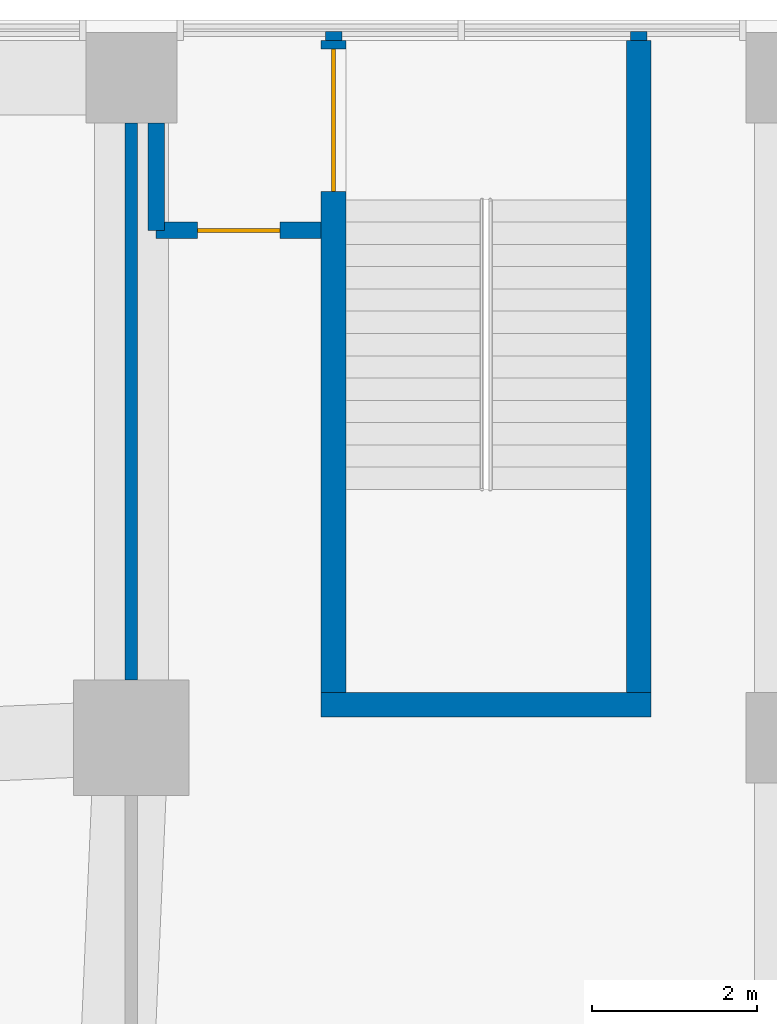
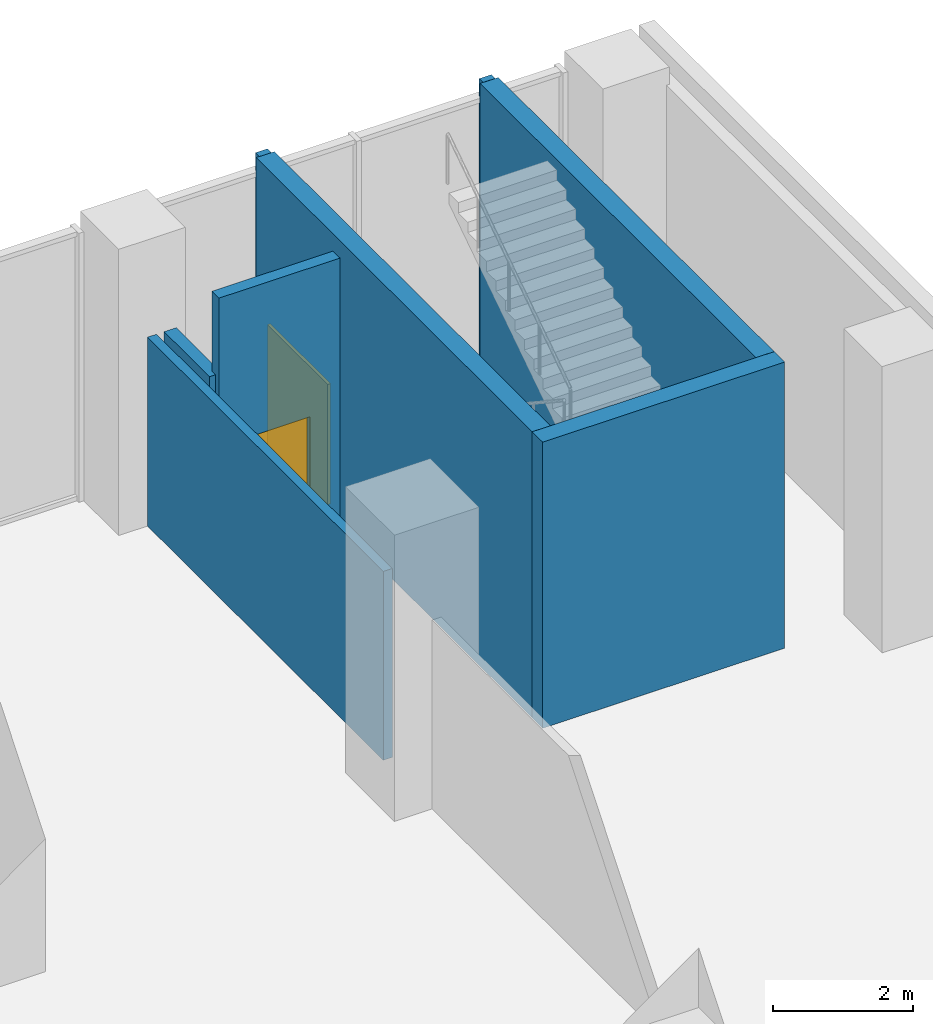
# One storey, part 19 of 22: 8 walls, 2 doors, 2 openings.
"""IFC4 building model written with IfcOpenShell, lengths in metres."""

import ifcopenshell
import ifcopenshell.guid

model = None  # the IFC model being written
_history = None  # IfcOwnerHistory: only IFC2X3 demands one
_inside = {}  # id of a spatial element -> (the spatial element, [elements in it])
_under = {}  # id of a project, library or spatial element -> (it, [spatial elements below it])
_declared = {}  # id of a project -> (the project, [libraries it declares])
_typed = {}  # id of a type object -> (the type object, [elements of that type])
_made_of = {}  # id of a material, layer set ... -> (it, [elements and type objects made of it])


def new_model(schema):
    """Start an empty IFC model of exactly this schema.

    Asked for "IFC4X3", IfcOpenShell would pick the latest addendum, in which some entities
    have other attributes; the version numbers below select the first issue.
    IFC2X3 requires an IfcOwnerHistory on every rooted entity: one is made here for all.
    """
    global model, _history
    if schema == "IFC4X3":
        model = ifcopenshell.file(schema_version=(4, 3, 0, 0))
    else:
        model = ifcopenshell.file(schema=schema)
    _inside.clear()
    _under.clear()
    _declared.clear()
    _typed.clear()
    _made_of.clear()
    _history = None
    if model.schema == "IFC2X3":
        org = make("IfcOrganization", Name="unknown")
        user = make(
            "IfcPersonAndOrganization",
            ThePerson=make("IfcPerson", FamilyName="unknown"),
            TheOrganization=org,
        )
        app = make(
            "IfcApplication",
            ApplicationDeveloper=org,
            Version="unknown",
            ApplicationFullName="unknown",
            ApplicationIdentifier="unknown",
        )
        _history = make(
            "IfcOwnerHistory",
            OwningUser=user,
            OwningApplication=app,
            ChangeAction="ADDED",
            CreationDate=0,
        )
    return model


def make(cls, **values):
    """One entity of the class cls with the attributes given. An attribute that is None is left unset."""
    return model.create_entity(
        cls, **{name: value for name, value in values.items() if value is not None}
    )


def rooted(cls, **values):
    """An entity with a GlobalId (a new one), such as an element, a storey or a relation."""
    return make(cls, GlobalId=ifcopenshell.guid.new(), OwnerHistory=_history, **values)


def si_unit(unit_type, name, prefix=None):
    """IfcSIUnit, for example si_unit("LENGTHUNIT", "METRE", prefix="MILLI")."""
    return make("IfcSIUnit", UnitType=unit_type, Prefix=prefix, Name=name)


def assignment(units):
    """IfcUnitAssignment: the units of a project."""
    return None if units is None else make("IfcUnitAssignment", Units=units)


def point(xyz):
    """IfcCartesianPoint."""
    return None if xyz is None else make("IfcCartesianPoint", Coordinates=xyz)


def direction(xyz):
    """IfcDirection."""
    return None if xyz is None else make("IfcDirection", DirectionRatios=xyz)


def frame(location, z_axis=None, x_axis=None):
    """IfcAxis2Placement3D, a coordinate frame: its origin and axes. An axis left out is left unset."""
    return make(
        "IfcAxis2Placement3D",
        Location=point(location),
        Axis=direction(z_axis),
        RefDirection=direction(x_axis),
    )


def frame_2d(location, x_axis=None):
    """IfcAxis2Placement2D, a coordinate frame in the plane: its origin and x axis."""
    return make(
        "IfcAxis2Placement2D", Location=point(location), RefDirection=direction(x_axis)
    )


def origin():
    """The frame at (0, 0, 0) with its axes left unset."""
    return frame((0.0, 0.0, 0.0))


def place(relative_to, where):
    """IfcLocalPlacement: puts the frame where relative to a parent placement (None: the world)."""
    return make(
        "IfcLocalPlacement", PlacementRelTo=relative_to, RelativePlacement=where
    )


def context(
    kind, dimensions, precision=None, world=None, true_north=None, identifier=None
):
    """IfcGeometricRepresentationContext, for example the 3D "Model" context."""
    return make(
        "IfcGeometricRepresentationContext",
        ContextIdentifier=identifier,
        ContextType=kind,
        CoordinateSpaceDimension=dimensions,
        Precision=precision,
        WorldCoordinateSystem=world,
        TrueNorth=true_north,
    )


def subcontext(parent, identifier, kind, view, scale=None):
    """IfcGeometricRepresentationSubContext, for example "Body" below "Model"."""
    return make(
        "IfcGeometricRepresentationSubContext",
        ContextIdentifier=identifier,
        ContextType=kind,
        ParentContext=parent,
        TargetScale=scale,
        TargetView=view,
    )


def project(units=None, contexts=None):
    """IfcProject with its units and contexts."""
    return rooted(
        "IfcProject",
        Name="project",
        RepresentationContexts=contexts,
        UnitsInContext=assignment(units),
    )


def spatial(cls, under=None, at=None, **own):
    """A site, building, storey or space (cls), placed at a placement, below another one or the project."""
    s = rooted(cls, ObjectPlacement=at, **own)
    if under is not None:
        _under.setdefault(under.id(), (under, []))[1].append(s)
    return s


def profile(cls, at=None, kind="AREA", **sizes):
    """A parametric profile (cls). Its sizes go by their IFC names, for example OverallWidth=200.0."""
    return make(cls, ProfileType=kind, Position=at, **sizes)


def rectangle(**sizes):
    """IfcRectangleProfileDef."""
    return profile("IfcRectangleProfileDef", **sizes)


def extrude(swept, where, along, depth):
    """IfcExtrudedAreaSolid: the profile swept, set in the frame where, extruded along a direction by depth."""
    return make(
        "IfcExtrudedAreaSolid",
        SweptArea=swept,
        Position=where,
        ExtrudedDirection=direction(along),
        Depth=depth,
    )


def shape(context_of_items, identifier, shape_type, items):
    """IfcShapeRepresentation: the items that make up one representation, for example the "Body"."""
    return make(
        "IfcShapeRepresentation",
        ContextOfItems=context_of_items,
        RepresentationIdentifier=identifier,
        RepresentationType=shape_type,
        Items=items,
    )


def material(Name=None, Category=None):
    """IfcMaterial."""
    return make("IfcMaterial", Name=Name, Category=Category)


def layer(
    of_material, thickness, ventilated=None, Name=None, Category=None, Priority=None
):
    """IfcMaterialLayer: one layer of a wall or slab, of a material (None: an air gap)."""
    return make(
        "IfcMaterialLayer",
        Material=of_material,
        LayerThickness=thickness,
        IsVentilated=ventilated,
        Name=Name,
        Category=Category,
        Priority=Priority,
    )


def layer_set(layers, Name=None):
    """IfcMaterialLayerSet."""
    return make("IfcMaterialLayerSet", MaterialLayers=layers, LayerSetName=Name)


def made_of(thing, what):
    """Note that an element or type object is made of a material, layer set ...; save() writes the relation."""
    if what is not None:
        _made_of.setdefault(what.id(), (what, []))[1].append(thing)
    return thing


def type_object(cls, material=None, **own):
    """A type object (cls), such as IfcWallType, which elements share."""
    return made_of(rooted(cls, **own), material)


def element(
    cls,
    number,
    at=None,
    inside=None,
    cuts=None,
    type_object=None,
    material=None,
    context=None,
    identifier="Body",
    shape_type=None,
    held_by="IfcProductDefinitionShape",
    body=None,
    shapes=None,
    **own,
):
    """One element of the class cls, such as IfcWall. Its Tag is "e" and its number.

    at: its placement. inside: the storey or other place that contains it. cuts: it is an
    opening in that element (IfcRelVoidsElement). A single representation is given by context,
    identifier, shape_type and body (its items); several are given by shapes. held_by: the class
    of the entity that holds the representations. save() writes the other relations.
    """
    e = rooted(cls, Tag="e%d" % number, ObjectPlacement=at, **own)
    if body is not None:
        shapes = [shape(context, identifier, shape_type, body)]
    if shapes is not None:
        e.Representation = make(held_by, Representations=shapes)
    if inside is not None:
        _inside.setdefault(inside.id(), (inside, []))[1].append(e)
    if cuts is not None:
        rooted(
            "IfcRelVoidsElement", RelatingBuildingElement=cuts, RelatedOpeningElement=e
        )
    if type_object is not None:
        _typed.setdefault(type_object.id(), (type_object, []))[1].append(e)
    return made_of(e, material)


def fill(opening, filler):
    """IfcRelFillsElement: the door or window that sits in an opening."""
    return rooted(
        "IfcRelFillsElement",
        RelatingOpeningElement=opening,
        RelatedBuildingElement=filler,
    )


def aggregate(whole, parts):
    """IfcRelAggregates: a whole, such as a stair, and the parts it consists of."""
    return rooted("IfcRelAggregates", RelatingObject=whole, RelatedObjects=parts)


def save(model, path):
    """Write the relations noted so far, then the file.

    IfcRelAggregates (storeys below a building ...), IfcRelContainedInSpatialStructure (elements
    in a storey), IfcRelDefinesByType, IfcRelAssociatesMaterial and IfcRelDeclares: one each for
    every whole, place, type object, material and project.
    """
    for whole, parts in _under.values():
        aggregate(whole, parts)
    for where, things in _inside.values():
        rooted(
            "IfcRelContainedInSpatialStructure",
            RelatedElements=things,
            RelatingStructure=where,
        )
    for kind, things in _typed.values():
        rooted("IfcRelDefinesByType", RelatedObjects=things, RelatingType=kind)
    for what, things in _made_of.values():
        rooted("IfcRelAssociatesMaterial", RelatedObjects=things, RelatingMaterial=what)
    for by, libraries in _declared.values():
        rooted("IfcRelDeclares", RelatingContext=by, RelatedDefinitions=libraries)
    model.write(path)


model = new_model("IFC4")

# Units and contexts
model_context = context("Model", 3, precision=1e-05, world=origin(), true_north=direction((0.0, 1.0)))
body_context = subcontext(model_context, "Body", "Model", "MODEL_VIEW")
ifc_project = project(units=[si_unit("LENGTHUNIT", "METRE"), si_unit("AREAUNIT", "SQUARE_METRE"), si_unit("VOLUMEUNIT", "CUBIC_METRE"), si_unit("PLANEANGLEUNIT", "RADIAN"), si_unit("MASSUNIT", "GRAM", prefix="KILO")], contexts=[model_context])

# Site, building, storey
site_placement = place(None, origin())
site = spatial("IfcSite", under=ifc_project, at=site_placement, CompositionType="ELEMENT")
building_placement = place(site_placement, origin())
building = spatial("IfcBuilding", under=site, at=building_placement, Name="Cleftline Residences", CompositionType="ELEMENT")
storey_placement = place(building_placement, frame((0.0, 0.0, 6.0)))
storey = spatial("IfcBuildingStorey", under=building, at=storey_placement, Name="L01", CompositionType="ELEMENT", Elevation=6.0)

# Wall, opening, door
ifc_material_1 = material(Name="Concrete blockwork, fire rated", Category="masonry")
ifc_layer_1 = layer(ifc_material_1, 0.199951171875)
ifc_layer_set_1 = layer_set([ifc_layer_1], Name="FIRE WALL 200")
wall_type_1 = type_object("IfcWallType", Name="FIRE WALL 200", PredefinedType="PARTITIONING", material=ifc_layer_set_1)
wall_1_placement = place(storey_placement, frame((66.300048828125, 54.14990234375, 0.0), z_axis=(0.0, 0.0, 1.0), x_axis=(1.0, 0.0, 0.0)))
wall_1 = element("IfcWall", 1, at=wall_1_placement, inside=storey, type_object=wall_type_1, Name="Fire separating wall", PredefinedType="PARTITIONING", context=body_context, shape_type="SweptSolid", body=[
    extrude(rectangle(XDim=2.0, YDim=0.199951171875, at=frame_2d((1.0, 0.0))), origin(), (0.0, 0.0, 1.0), 4.699951171875),
])
opening_1_placement = place(wall_1_placement, frame((0.5, 0.0, 0.0)))
opening_1 = element("IfcOpeningElement", 2, at=opening_1_placement, cuts=wall_1, Name="Opening D2F60", PredefinedType="OPENING", context=body_context, shape_type="SweptSolid", body=[
    extrude(rectangle(XDim=1.0, YDim=2.10009765625, at=frame_2d((0.5, 1.050048828125))), frame((0.0, 0.10986328125, 0.0), z_axis=(0.0, -1.0, 0.0), x_axis=(1.0, 0.0, 0.0)), (0.0, 0.0, 1.0), 0.219970703125),
])
ifc_material_2 = material(Name="Timber veneer on solid core", Category="wood")
door_type_1 = type_object("IfcDoorType", Name="DOOR 1000X2100 EI 60", OperationType="SINGLE_SWING_LEFT", PredefinedType="DOOR", material=ifc_material_2)
door_1_placement = place(opening_1_placement, origin())
door_1 = element("IfcDoor", 3, at=door_1_placement, inside=storey, type_object=door_type_1, Name="Door to stair ps-e lobby", OperationType="SINGLE_SWING_LEFT", OverallHeight=2.10009765625, OverallWidth=1.0, PredefinedType="DOOR", context=body_context, shape_type="SweptSolid", body=[
    extrude(rectangle(XDim=1.0, YDim=2.10009765625, at=frame_2d((0.5, 1.050048828125))), frame((0.0, 0.02490234375, 0.0), z_axis=(0.0, -1.0, 0.0), x_axis=(1.0, 0.0, 0.0)), (0.0, 0.0, 1.0), 0.050048828125),
])
fill(opening_1, door_1)

# Walls
wall_2_placement = place(storey_placement, frame((66.300048828125, 54.14990234375, 0.0), z_axis=(0.0, 0.0, 1.0), x_axis=(0.0, 1.0, 0.0)))
element("IfcWall", 4, at=wall_2_placement, inside=storey, type_object=wall_type_1, Name="Fire separating wall", PredefinedType="PARTITIONING", context=body_context, shape_type="SweptSolid", body=[
    extrude(rectangle(XDim=1.300048828125, YDim=0.199951171875, at=frame_2d((0.64990234375, 0.0))), origin(), (0.0, 0.0, 1.0), 3.300048828125),
])
for number, where, z_axis, x_axis, name in (
    (5, (68.449951171875, 56.449951171875, 0.0), (0.0, 0.0, 1.0), (0.0, 1.0, 0.0), "Fire separating wall"),
    (6, (72.14990234375, 56.449951171875, 0.0), (0.0, 0.0, 1.0), (0.0, 1.0, 0.0), "Fire separating wall"),
):
    element("IfcWall", number, at=place(storey_placement, frame(where, z_axis=z_axis, x_axis=x_axis)), inside=storey, type_object=wall_type_1, Name=name, PredefinedType="PARTITIONING", context=body_context, shape_type="SweptSolid", body=[
        extrude(rectangle(XDim=0.111083984375, YDim=0.199951171875, at=frame_2d((0.0556640625, 0.0))), origin(), (0.0, 0.0, 1.0), 5.0),
    ])
ifc_material_3 = material(Name="Gypsum board on steel studs", Category="steel")
ifc_layer_2 = layer(ifc_material_3, 0.14990234375)
ifc_layer_set_2 = layer_set([ifc_layer_2], Name="PARTITION 150")
wall_type_2 = type_object("IfcWallType", Name="PARTITION 150", PredefinedType="PARTITIONING", material=ifc_layer_set_2)
wall_3_placement = place(storey_placement, frame((66.0, 48.699951171875, 0.0), z_axis=(0.0, 0.0, 1.0), x_axis=(0.0, 1.0, 0.0)))
element("IfcWall", 7, at=wall_3_placement, inside=storey, type_object=wall_type_2, Name="Partition", PredefinedType="PARTITIONING", context=body_context, shape_type="SweptSolid", body=[
    extrude(rectangle(XDim=6.75, YDim=0.14990234375, at=frame_2d((3.375, 0.0))), origin(), (0.0, 0.0, 1.0), 3.300048828125),
])
ifc_material_4 = material(Name="Concrete blockwork, fire rated", Category="masonry")
ifc_layer_3 = layer(ifc_material_4, 0.300048828125)
ifc_layer_set_3 = layer_set([ifc_layer_3], Name="STAIR ENCLOSURE WALL 300")
wall_type_3 = type_object("IfcWallType", Name="STAIR ENCLOSURE WALL 300", PredefinedType="PARTITIONING", material=ifc_layer_set_3)
wall_4_placement = place(storey_placement, frame((68.300048828125, 48.39990234375, 0.0), z_axis=(0.0, 0.0, 1.0), x_axis=(1.0, 0.0, 0.0)))
element("IfcWall", 8, at=wall_4_placement, inside=storey, type_object=wall_type_3, Name="Stair PS-E enclosure", PredefinedType="PARTITIONING", context=body_context, shape_type="SweptSolid", body=[
    extrude(rectangle(XDim=4.0, YDim=0.300048828125, at=frame_2d((2.0, 0.0))), origin(), (0.0, 0.0, 1.0), 5.0),
])

# Wall, opening, door
wall_5_placement = place(storey_placement, frame((68.449951171875, 48.550048828125, 0.0), z_axis=(0.0, 0.0, 1.0), x_axis=(0.0, 1.0, 0.0)))
wall_5 = element("IfcWall", 9, at=wall_5_placement, inside=storey, type_object=wall_type_3, Name="Stair PS-E enclosure", PredefinedType="PARTITIONING", context=body_context, shape_type="SweptSolid", body=[
    extrude(rectangle(XDim=7.89990234375, YDim=0.300048828125, at=frame_2d((3.949951171875, 0.0))), origin(), (0.0, 0.0, 1.0), 5.0),
])
opening_2_placement = place(wall_5_placement, frame((6.070068359375, 0.0, 0.0)))
opening_2 = element("IfcOpeningElement", 10, at=opening_2_placement, cuts=wall_5, Name="Opening D11", PredefinedType="OPENING", context=body_context, shape_type="SweptSolid", body=[
    extrude(rectangle(XDim=1.72998046875, YDim=2.10009765625, at=frame_2d((0.864990234375, 1.050048828125))), frame((0.0, 0.159912109375, 0.0), z_axis=(0.0, -1.0, 0.0), x_axis=(1.0, 0.0, 0.0)), (0.0, 0.0, 1.0), 0.320068359375),
])
ifc_material_5 = material(Name="Steel", Category="steel")
door_type_2 = type_object("IfcDoorType", Name="STAIR DOOR 1730X2100", OperationType="DOUBLE_DOOR_SINGLE_SWING", PredefinedType="DOOR", material=ifc_material_5)
door_2_placement = place(opening_2_placement, origin())
door_2 = element("IfcDoor", 11, at=door_2_placement, inside=storey, type_object=door_type_2, Name="Stair PS-E door", OperationType="DOUBLE_DOOR_SINGLE_SWING", OverallHeight=2.10009765625, OverallWidth=1.72998046875, PredefinedType="DOOR", context=body_context, shape_type="SweptSolid", body=[
    extrude(rectangle(XDim=1.72998046875, YDim=2.10009765625, at=frame_2d((0.864990234375, 1.050048828125))), frame((0.0, 0.02490234375, 0.0), z_axis=(0.0, -1.0, 0.0), x_axis=(1.0, 0.0, 0.0)), (0.0, 0.0, 1.0), 0.050048828125),
])
fill(opening_2, door_2)

# Wall
wall_6_placement = place(storey_placement, frame((72.14990234375, 48.550048828125, 0.0), z_axis=(0.0, 0.0, 1.0), x_axis=(0.0, 1.0, 0.0)))
element("IfcWall", 12, at=wall_6_placement, inside=storey, type_object=wall_type_3, Name="Stair PS-E enclosure", PredefinedType="PARTITIONING", context=body_context, shape_type="SweptSolid", body=[
    extrude(rectangle(XDim=7.89990234375, YDim=0.300048828125, at=frame_2d((3.949951171875, 0.0))), origin(), (0.0, 0.0, 1.0), 5.0),
])

save(model, "model.ifc")
